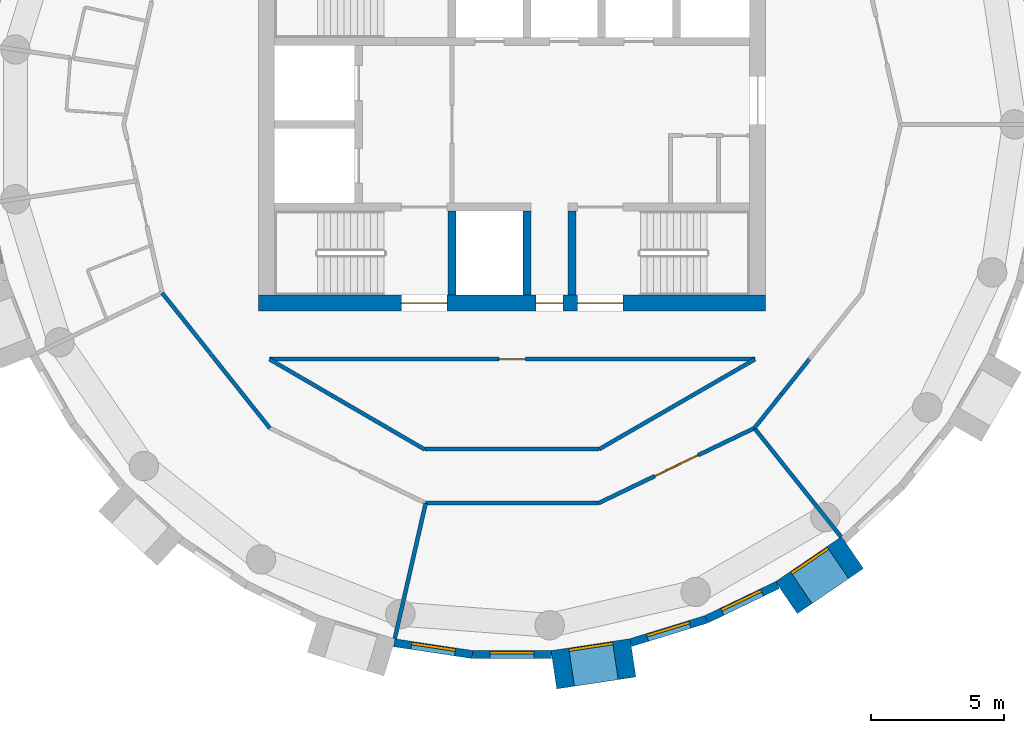
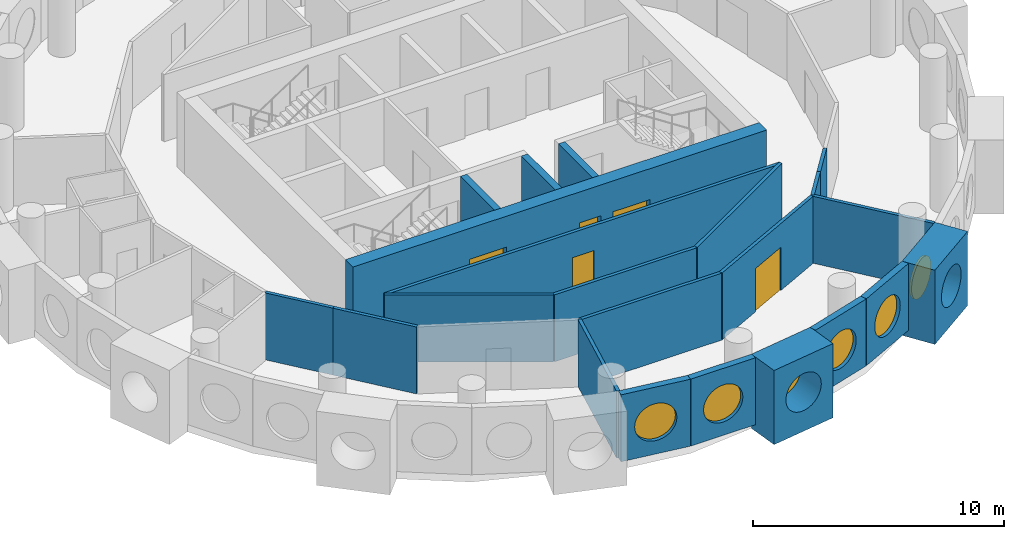
# One storey, part 3 of 12: 22 walls, 6 windows, 5 doors, 11 openings.
"""IFC4 building model written with IfcOpenShell, lengths in metres."""

from ifc_helpers import new_model, si_unit, direction, frame, frame_2d, origin, origin_2d, place, context, subcontext, project, spatial, rectangle, circle, extrude, material, layer, layer_set, type_object, element, fill, save


model = new_model("IFC4")

# Units and contexts
model_context = context("Model", 3, precision=1e-05, world=origin(), true_north=direction((0.0, 1.0)))
body_context = subcontext(model_context, "Body", "Model", "MODEL_VIEW")
ifc_project = project(units=[si_unit("LENGTHUNIT", "METRE"), si_unit("AREAUNIT", "SQUARE_METRE"), si_unit("VOLUMEUNIT", "CUBIC_METRE"), si_unit("PLANEANGLEUNIT", "RADIAN"), si_unit("MASSUNIT", "GRAM", prefix="KILO")], contexts=[model_context])

# Site, building, storey
site_placement = place(None, origin())
site = spatial("IfcSite", under=ifc_project, at=site_placement, CompositionType="ELEMENT")
building_placement = place(site_placement, origin())
building = spatial("IfcBuilding", under=site, at=building_placement, Name="Tracery Tower", CompositionType="ELEMENT")
storey_placement = place(building_placement, frame((0.0, 0.0, 241.800048828125)))
storey = spatial("IfcBuildingStorey", under=building, at=storey_placement, Name="L62", CompositionType="ELEMENT", Elevation=241.800048828125)

# Wall, openings, doors
ifc_material_1 = material(Name="Concrete C40/50", Category="concrete")
ifc_layer_1 = layer(ifc_material_1, 0.60009765625)
ifc_layer_set_1 = layer_set([ifc_layer_1], Name="Core wall 600 C40")
wall_type_1 = type_object("IfcWallType", Name="Core wall 600 C40", PredefinedType="SOLIDWALL", material=ifc_layer_set_1)
wall_1_placement = place(storey_placement, frame((-9.5, -6.699951171875, 0.0), z_axis=(0.0, 0.0, 1.0), x_axis=(1.0, 0.0, 0.0)))
wall_1 = element("IfcWall", 1, at=wall_1_placement, inside=storey, type_object=wall_type_1, Name="L62 outer S", PredefinedType="SOLIDWALL", context=body_context, shape_type="SweptSolid", body=[
    extrude(rectangle(XDim=19.0, YDim=0.60009765625, at=frame_2d((9.5, 0.0))), origin(), (0.0, 0.0, 1.0), 3.599853515625),
])
opening_1_placement = place(wall_1_placement, frame((10.39990234375, 0.0, 0.0)))
opening_1 = element("IfcOpeningElement", 2, at=opening_1_placement, cuts=wall_1, Name="Opening KD16", PredefinedType="OPENING", context=body_context, shape_type="SweptSolid", body=[
    extrude(rectangle(XDim=1.0, YDim=2.10009765625, at=frame_2d((0.5, 1.050048828125))), frame((0.0, 0.300048828125, 0.0), z_axis=(0.0, -1.0, 0.0), x_axis=(1.0, 0.0, 0.0)), (0.0, 0.0, 1.0), 0.60009765625),
])
opening_2_placement = place(wall_1_placement, frame((5.35009765625, 0.0, 0.0)))
opening_2 = element("IfcOpeningElement", 3, at=opening_2_placement, cuts=wall_1, Name="Opening KD3", PredefinedType="OPENING", context=body_context, shape_type="SweptSolid", body=[
    extrude(rectangle(XDim=1.699951171875, YDim=2.10009765625, at=frame_2d((0.85009765625, 1.050048828125))), frame((0.0, 0.300048828125, 0.0), z_axis=(0.0, -1.0, 0.0), x_axis=(1.0, 0.0, 0.0)), (0.0, 0.0, 1.0), 0.60009765625),
])
opening_3_placement = place(wall_1_placement, frame((11.949951171875, 0.0, 0.0)))
opening_3 = element("IfcOpeningElement", 4, at=opening_3_placement, cuts=wall_1, Name="Opening KD3", PredefinedType="OPENING", context=body_context, shape_type="SweptSolid", body=[
    extrude(rectangle(XDim=1.699951171875, YDim=2.10009765625, at=frame_2d((0.85009765625, 1.050048828125))), frame((0.0, 0.300048828125, 0.0), z_axis=(0.0, -1.0, 0.0), x_axis=(1.0, 0.0, 0.0)), (0.0, 0.0, 1.0), 0.60009765625),
])
ifc_material_2 = material(Name="Steel fire door", Category="steel")
door_type_1 = type_object("IfcDoorType", Name="Core exit door 1000", OperationType="NOTDEFINED", PredefinedType="DOOR", material=ifc_material_2)
door_1_placement = place(opening_1_placement, origin())
door_1 = element("IfcDoor", 5, at=door_1_placement, inside=storey, type_object=door_type_1, Name="Core exit door", OperationType="SINGLE_SWING_LEFT", OverallHeight=2.10009765625, OverallWidth=1.0, PredefinedType="DOOR", context=body_context, shape_type="SweptSolid", body=[
    extrude(rectangle(XDim=1.0, YDim=2.10009765625, at=frame_2d((0.5, 1.050048828125))), frame((0.0, 0.02490234375, 0.0), z_axis=(0.0, -1.0, 0.0), x_axis=(1.0, 0.0, 0.0)), (0.0, 0.0, 1.0), 0.050048828125),
])
fill(opening_1, door_1)
ifc_material_3 = material(Name="Steel fire door", Category="steel")
door_type_2 = type_object("IfcDoorType", Name="Core stair door 1700 double", OperationType="NOTDEFINED", PredefinedType="DOOR", material=ifc_material_3)
door_2_placement = place(opening_2_placement, origin())
door_2 = element("IfcDoor", 6, at=door_2_placement, inside=storey, type_object=door_type_2, Name="Stair door ST1 exit", OperationType="DOUBLE_DOOR_SINGLE_SWING", OverallHeight=2.10009765625, OverallWidth=1.699951171875, PredefinedType="DOOR", context=body_context, shape_type="SweptSolid", body=[
    extrude(rectangle(XDim=1.699951171875, YDim=2.10009765625, at=frame_2d((0.85009765625, 1.050048828125))), frame((0.0, 0.02490234375, 0.0), z_axis=(0.0, -1.0, 0.0), x_axis=(1.0, 0.0, 0.0)), (0.0, 0.0, 1.0), 0.050048828125),
])
fill(opening_2, door_2)
door_3_placement = place(opening_3_placement, origin())
door_3 = element("IfcDoor", 7, at=door_3_placement, inside=storey, type_object=door_type_2, Name="Stair door ST2 exit", OperationType="DOUBLE_DOOR_SINGLE_SWING", OverallHeight=2.10009765625, OverallWidth=1.699951171875, PredefinedType="DOOR", context=body_context, shape_type="SweptSolid", body=[
    extrude(rectangle(XDim=1.699951171875, YDim=2.10009765625, at=frame_2d((0.85009765625, 1.050048828125))), frame((0.0, 0.02490234375, 0.0), z_axis=(0.0, -1.0, 0.0), x_axis=(1.0, 0.0, 0.0)), (0.0, 0.0, 1.0), 0.050048828125),
])
fill(opening_3, door_3)

# Wall, opening, window
ifc_material_4 = material(Name="Precast concrete C50/60", Category="concrete")
ifc_layer_2 = layer(ifc_material_4, 1.449951171875)
ifc_layer_set_2 = layer_set([ifc_layer_2], Name="Deep-set bay unit 3000 x 3600, slab edge 350")
wall_type_2 = type_object("IfcWallType", Name="Deep-set bay unit 3000 x 3600, slab edge 350", PredefinedType="ELEMENTEDWALL", material=ifc_layer_set_2)
wall_2_placement = place(storey_placement, frame((1.563232421875, -20.436279296875, -0.35009765625), z_axis=(0.0, 0.0, 1.0), x_axis=(0.988836445254, 0.149004981587, 0.0)))
wall_2 = element("IfcWall", 8, at=wall_2_placement, inside=storey, type_object=wall_type_2, Name="Deep-set bay unit 33 at L62", PredefinedType="ELEMENTEDWALL", context=body_context, shape_type="SweptSolid", body=[
    extrude(rectangle(XDim=3.0, YDim=1.449951171875, at=frame_2d((1.5, 0.0))), origin(), (0.0, 0.0, 1.0), 3.60009765625),
])
opening_4_placement = place(wall_2_placement, frame((1.5, 0.0, 1.89990234375)))
opening_4 = element("IfcOpeningElement", 9, at=opening_4_placement, cuts=wall_2, Name="Opening WN1", PredefinedType="OPENING", context=body_context, shape_type="SweptSolid", body=[
    extrude(circle(Radius=0.9000244140625, at=origin_2d()), frame((0.0, 0.73486328125, 0.0), z_axis=(0.0, -1.0, 0.0), x_axis=(1.0, 0.0, 0.0)), (0.0, 0.0, 1.0), 1.469970703125),
])
ifc_material_5 = material(Name="Aluminium frame with tinted double glazing", Category="aluminium")
window_type = type_object("IfcWindowType", Name="Round window 1800", PartitioningType="SINGLE_PANEL", PredefinedType="WINDOW", material=ifc_material_5)
window_1_placement = place(opening_4_placement, origin())
window_1 = element("IfcWindow", 10, at=window_1_placement, inside=storey, type_object=window_type, Name="Round window 33 at L62", OverallHeight=1.800048828125, OverallWidth=1.800048828125, PartitioningType="SINGLE_PANEL", PredefinedType="WINDOW", context=body_context, shape_type="SweptSolid", body=[
    extrude(circle(Radius=0.9000244140625, at=origin_2d()), frame((0.0, 0.69482421875, 0.0), z_axis=(0.0, -1.0, 0.0), x_axis=(1.0, 0.0, 0.0)), (0.0, 0.0, 1.0), 0.10009765625),
])
fill(opening_4, window_1)

wall_3_placement = place(storey_placement, frame((10.275390625, -17.734130859375, -0.35009765625), z_axis=(0.0, 0.0, 1.0), x_axis=(0.826246281157, 0.563309047392, 0.0)))
wall_3 = element("IfcWall", 11, at=wall_3_placement, inside=storey, type_object=wall_type_2, Name="Deep-set bay unit 36 at L62", PredefinedType="ELEMENTEDWALL", context=body_context, shape_type="SweptSolid", body=[
    extrude(rectangle(XDim=3.0, YDim=1.449951171875, at=frame_2d((1.5, 0.0))), origin(), (0.0, 0.0, 1.0), 3.60009765625),
])
opening_5_placement = place(wall_3_placement, frame((1.5, 0.0, 1.89990234375)))
opening_5 = element("IfcOpeningElement", 12, at=opening_5_placement, cuts=wall_3, Name="Opening WN1", PredefinedType="OPENING", context=body_context, shape_type="SweptSolid", body=[
    extrude(circle(Radius=0.9000244140625, at=origin_2d()), frame((0.0, 0.73486328125, 0.0), z_axis=(0.0, -1.0, 0.0), x_axis=(1.0, 0.0, 0.0)), (0.0, 0.0, 1.0), 1.469970703125),
])
window_2_placement = place(opening_5_placement, origin())
window_2 = element("IfcWindow", 13, at=window_2_placement, inside=storey, type_object=window_type, Name="Round window 36 at L62", OverallHeight=1.800048828125, OverallWidth=1.800048828125, PartitioningType="SINGLE_PANEL", PredefinedType="WINDOW", context=body_context, shape_type="SweptSolid", body=[
    extrude(circle(Radius=0.9000244140625, at=origin_2d()), frame((0.0, 0.69482421875, 0.0), z_axis=(0.0, -1.0, 0.0), x_axis=(1.0, 0.0, 0.0)), (0.0, 0.0, 1.0), 0.10009765625),
])
fill(opening_5, window_2)

ifc_material_6 = material(Name="Precast concrete C50/60", Category="concrete")
ifc_layer_3 = layer(ifc_material_6, 0.300048828125)
ifc_layer_set_3 = layer_set([ifc_layer_3], Name="Facade panel 3000 x 3250")
wall_type_3 = type_object("IfcWallType", Name="Facade panel 3000 x 3250", PredefinedType="SOLIDWALL", material=ifc_layer_set_3)
wall_4_placement = place(storey_placement, frame((-4.41796875, -19.424560546875, 0.0), z_axis=(0.0, 0.0, 1.0), x_axis=(0.988835775663, -0.149009425104, 0.0)))
wall_4 = element("IfcWall", 14, at=wall_4_placement, inside=storey, type_object=wall_type_3, Name="Facade panel 31 at L62", PredefinedType="SOLIDWALL", context=body_context, shape_type="SweptSolid", body=[
    extrude(rectangle(XDim=2.962158203125, YDim=0.300048828125, at=frame_2d((1.48095703125, 0.0))), origin(), (0.0, 0.0, 1.0), 3.25),
])
opening_6_placement = place(wall_4_placement, frame((1.48095703125, 0.0, 1.5498046875)))
opening_6 = element("IfcOpeningElement", 15, at=opening_6_placement, cuts=wall_4, Name="Opening WN1", PredefinedType="OPENING", context=body_context, shape_type="SweptSolid", body=[
    extrude(circle(Radius=0.9000244140625, at=origin_2d()), frame((0.0, 0.159912109375, 0.0), z_axis=(0.0, -1.0, 0.0), x_axis=(1.0, 0.0, 0.0)), (0.0, 0.0, 1.0), 0.320068359375),
])
window_3_placement = place(opening_6_placement, origin())
window_3 = element("IfcWindow", 16, at=window_3_placement, inside=storey, type_object=window_type, Name="Round window 31 at L62", OverallHeight=1.800048828125, OverallWidth=1.800048828125, PartitioningType="SINGLE_PANEL", PredefinedType="WINDOW", context=body_context, shape_type="SweptSolid", body=[
    extrude(circle(Radius=0.9000244140625, at=origin_2d()), frame((0.0, 0.1201171875, 0.0), z_axis=(0.0, -1.0, 0.0), x_axis=(1.0, 0.0, 0.0)), (0.0, 0.0, 1.0), 0.10009765625),
])
fill(opening_6, window_3)

wall_5_placement = place(storey_placement, frame((-1.48876953125, -19.865966796875, 0.0), z_axis=(0.0, 0.0, 1.0), x_axis=(1.0, 0.0, 0.0)))
wall_5 = element("IfcWall", 17, at=wall_5_placement, inside=storey, type_object=wall_type_3, Name="Facade panel 32 at L62", PredefinedType="SOLIDWALL", context=body_context, shape_type="SweptSolid", body=[
    extrude(rectangle(XDim=2.962158203125, YDim=0.300048828125, at=frame_2d((1.48095703125, 0.0))), origin(), (0.0, 0.0, 1.0), 3.25),
])
opening_7_placement = place(wall_5_placement, frame((1.48095703125, 0.0, 1.5498046875)))
opening_7 = element("IfcOpeningElement", 18, at=opening_7_placement, cuts=wall_5, Name="Opening WN1", PredefinedType="OPENING", context=body_context, shape_type="SweptSolid", body=[
    extrude(circle(Radius=0.9000244140625, at=origin_2d()), frame((0.0, 0.159912109375, 0.0), z_axis=(0.0, -1.0, 0.0), x_axis=(1.0, 0.0, 0.0)), (0.0, 0.0, 1.0), 0.320068359375),
])
window_4_placement = place(opening_7_placement, origin())
window_4 = element("IfcWindow", 19, at=window_4_placement, inside=storey, type_object=window_type, Name="Round window 32 at L62", OverallHeight=1.800048828125, OverallWidth=1.800048828125, PartitioningType="SINGLE_PANEL", PredefinedType="WINDOW", context=body_context, shape_type="SweptSolid", body=[
    extrude(circle(Radius=0.9000244140625, at=origin_2d()), frame((0.0, 0.1201171875, 0.0), z_axis=(0.0, -1.0, 0.0), x_axis=(1.0, 0.0, 0.0)), (0.0, 0.0, 1.0), 0.10009765625),
])
fill(opening_7, window_4)

wall_6_placement = place(storey_placement, frame((4.447509765625, -19.417724609375, 0.0), z_axis=(0.0, 0.0, 1.0), x_axis=(0.95558635705, 0.294711238707, 0.0)))
wall_6 = element("IfcWall", 20, at=wall_6_placement, inside=storey, type_object=wall_type_3, Name="Facade panel 34 at L62", PredefinedType="SOLIDWALL", context=body_context, shape_type="SweptSolid", body=[
    extrude(rectangle(XDim=2.96240234375, YDim=0.300048828125, at=frame_2d((1.481201171875, 0.0))), origin(), (0.0, 0.0, 1.0), 3.25),
])
opening_8_placement = place(wall_6_placement, frame((1.48095703125, 0.0, 1.5498046875)))
opening_8 = element("IfcOpeningElement", 21, at=opening_8_placement, cuts=wall_6, Name="Opening WN1", PredefinedType="OPENING", context=body_context, shape_type="SweptSolid", body=[
    extrude(circle(Radius=0.9000244140625, at=origin_2d()), frame((0.0, 0.159912109375, 0.0), z_axis=(0.0, -1.0, 0.0), x_axis=(1.0, 0.0, 0.0)), (0.0, 0.0, 1.0), 0.320068359375),
])
window_5_placement = place(opening_8_placement, origin())
window_5 = element("IfcWindow", 22, at=window_5_placement, inside=storey, type_object=window_type, Name="Round window 34 at L62", OverallHeight=1.800048828125, OverallWidth=1.800048828125, PartitioningType="SINGLE_PANEL", PredefinedType="WINDOW", context=body_context, shape_type="SweptSolid", body=[
    extrude(circle(Radius=0.9000244140625, at=origin_2d()), frame((0.0, 0.1201171875, 0.0), z_axis=(0.0, -1.0, 0.0), x_axis=(1.0, 0.0, 0.0)), (0.0, 0.0, 1.0), 0.10009765625),
])
fill(opening_8, window_5)

wall_7_placement = place(storey_placement, frame((7.2783203125, -18.544677734375, 0.0), z_axis=(0.0, 0.0, 1.0), x_axis=(0.900939615635, 0.433944476838, 0.0)))
wall_7 = element("IfcWall", 23, at=wall_7_placement, inside=storey, type_object=wall_type_3, Name="Facade panel 35 at L62", PredefinedType="SOLIDWALL", context=body_context, shape_type="SweptSolid", body=[
    extrude(rectangle(XDim=2.962158203125, YDim=0.300048828125, at=frame_2d((1.48095703125, 0.0))), origin(), (0.0, 0.0, 1.0), 3.25),
])
opening_9_placement = place(wall_7_placement, frame((1.48095703125, 0.0, 1.5498046875)))
opening_9 = element("IfcOpeningElement", 24, at=opening_9_placement, cuts=wall_7, Name="Opening WN1", PredefinedType="OPENING", context=body_context, shape_type="SweptSolid", body=[
    extrude(circle(Radius=0.9000244140625, at=origin_2d()), frame((0.0, 0.159912109375, 0.0), z_axis=(0.0, -1.0, 0.0), x_axis=(1.0, 0.0, 0.0)), (0.0, 0.0, 1.0), 0.320068359375),
])
window_6_placement = place(opening_9_placement, origin())
window_6 = element("IfcWindow", 25, at=window_6_placement, inside=storey, type_object=window_type, Name="Round window 35 at L62", OverallHeight=1.800048828125, OverallWidth=1.800048828125, PartitioningType="SINGLE_PANEL", PredefinedType="WINDOW", context=body_context, shape_type="SweptSolid", body=[
    extrude(circle(Radius=0.9000244140625, at=origin_2d()), frame((0.0, 0.1201171875, 0.0), z_axis=(0.0, -1.0, 0.0), x_axis=(1.0, 0.0, 0.0)), (0.0, 0.0, 1.0), 0.10009765625),
])
fill(opening_9, window_6)

# Walls
ifc_material_7 = material(Name="Plasterboard on steel studs", Category="steel")
ifc_layer_4 = layer(ifc_material_7, 0.14990234375)
ifc_layer_set_4 = layer_set([ifc_layer_4], Name="Partition 150 acoustic unit wall")
wall_type_4 = type_object("IfcWallType", Name="Partition 150 acoustic unit wall", PredefinedType="PARTITIONING", material=ifc_layer_set_4)
wall_8_placement = place(storey_placement, frame((-4.39990234375, -19.27587890625, 0.0), z_axis=(0.0, 0.0, 1.0), x_axis=(0.222612505682, 0.974907007008, 0.0)))
element("IfcWall", 26, at=wall_8_placement, inside=storey, type_object=wall_type_4, Name="Unit wall RC2-066", PredefinedType="PARTITIONING", context=body_context, shape_type="SweptSolid", body=[
    extrude(rectangle(XDim=5.21484375, YDim=0.14990234375, at=frame_2d((2.607421875, 0.0))), origin(), (0.0, 0.0, 1.0), 3.25),
])
wall_9_placement = place(storey_placement, frame((9.075927734375, -11.381103515625, 0.0), z_axis=(0.0, 0.0, 1.0), x_axis=(0.623460949534, -0.781854490558, 0.0)))
element("IfcWall", 27, at=wall_9_placement, inside=storey, type_object=wall_type_4, Name="Unit wall RC2-067", PredefinedType="PARTITIONING", context=body_context, shape_type="SweptSolid", body=[
    extrude(rectangle(XDim=5.21435546875, YDim=0.14990234375, at=frame_2d((2.607177734375, 0.0))), origin(), (0.0, 0.0, 1.0), 3.25),
])

# Wall, opening, door
ifc_material_8 = material(Name="Plasterboard on steel studs", Category="steel")
ifc_layer_5 = layer(ifc_material_8, 0.14990234375)
ifc_layer_set_5 = layer_set([ifc_layer_5], Name="Partition 150 corridor wall")
wall_type_5 = type_object("IfcWallType", Name="Partition 150 corridor wall", PredefinedType="PARTITIONING", material=ifc_layer_set_5)
wall_10_placement = place(storey_placement, frame((-9.092041015625, -8.800048828125, 0.0), z_axis=(0.0, 0.0, 1.0), x_axis=(1.0, 0.0, 0.0)))
wall_10 = element("IfcWall", 28, at=wall_10_placement, inside=storey, type_object=wall_type_5, Name="Corridor wall RC2-012", PredefinedType="PARTITIONING", context=body_context, shape_type="SweptSolid", body=[
    extrude(rectangle(XDim=18.192626953125, YDim=0.14990234375, at=frame_2d((9.09619140625, 0.0))), origin(), (0.0, 0.0, 1.0), 3.25),
])
opening_10_placement = place(wall_10_placement, frame((8.592041015625, 0.0, 0.0)))
opening_10 = element("IfcOpeningElement", 29, at=opening_10_placement, cuts=wall_10, Name="Opening RC2-03", PredefinedType="OPENING", context=body_context, shape_type="SweptSolid", body=[
    extrude(rectangle(XDim=1.0, YDim=2.0400390625, at=frame_2d((0.5, 1.02001953125))), frame((0.0, 0.074951171875, 0.0), z_axis=(0.0, -1.0, 0.0), x_axis=(1.0, 0.0, 0.0)), (0.0, 0.0, 1.0), 0.14990234375),
])
ifc_material_9 = material(Name="Timber door leaf", Category="wood")
door_type_3 = type_object("IfcDoorType", Name="Door communal room 1000", OperationType="NOTDEFINED", PredefinedType="DOOR", material=ifc_material_9)
door_4_placement = place(opening_10_placement, origin())
door_4 = element("IfcDoor", 30, at=door_4_placement, inside=storey, type_object=door_type_3, Name="Communal room door RC2-03", OperationType="SINGLE_SWING_RIGHT", OverallHeight=2.0400390625, OverallWidth=1.0, PredefinedType="DOOR", context=body_context, shape_type="SweptSolid", body=[
    extrude(rectangle(XDim=1.0, YDim=2.0400390625, at=frame_2d((0.5, 1.02001953125))), frame((0.0, 0.02490234375, 0.0), z_axis=(0.0, -1.0, 0.0), x_axis=(1.0, 0.0, 0.0)), (0.0, 0.0, 1.0), 0.050048828125),
])
fill(opening_10, door_4)

# Walls
wall_11_placement = place(storey_placement, frame((-9.092041015625, -8.800048828125, 0.0), z_axis=(0.0, 0.0, 1.0), x_axis=(0.864470922103, -0.502682827277, 0.0)))
element("IfcWall", 31, at=wall_11_placement, inside=storey, type_object=wall_type_5, Name="Corridor wall RC2-013", PredefinedType="PARTITIONING", context=body_context, shape_type="SweptSolid", body=[
    extrude(rectangle(XDim=6.7353515625, YDim=0.14990234375, at=frame_2d((3.36767578125, 0.0))), origin(), (0.0, 0.0, 1.0), 3.25),
])
wall_12_placement = place(storey_placement, frame((-11.300048828125, -8.59619140625, 0.0), z_axis=(0.0, 0.0, 1.0), x_axis=(0.623165080354, -0.782090328944, 0.0)))
element("IfcWall", 32, at=wall_12_placement, inside=storey, type_object=wall_type_5, Name="Corridor wall RC2-014", PredefinedType="PARTITIONING", context=body_context, shape_type="SweptSolid", body=[
    extrude(rectangle(XDim=3.56396484375, YDim=0.14990234375, at=frame_2d((1.781982421875, 0.0))), origin(), (0.0, 0.0, 1.0), 3.25),
])
wall_13_placement = place(storey_placement, frame((10.10107421875, -10.10107421875, 0.0), z_axis=(0.0, 0.0, 1.0), x_axis=(0.623098344652, 0.782143498913, 0.0)))
element("IfcWall", 33, at=wall_13_placement, inside=storey, type_object=wall_type_5, Name="Corridor wall RC2-019", PredefinedType="PARTITIONING", context=body_context, shape_type="SweptSolid", body=[
    extrude(rectangle(XDim=1.660888671875, YDim=0.14990234375, at=frame_2d((0.83056640625, 0.0))), origin(), (0.0, 0.0, 1.0), 3.25),
])
wall_14_placement = place(storey_placement, frame((-13.114990234375, -6.31591796875, 0.0), z_axis=(0.0, 0.0, 1.0), x_axis=(0.623446514299, -0.781866001185, 0.0)))
element("IfcWall", 34, at=wall_14_placement, inside=storey, type_object=wall_type_5, Name="Corridor wall RC2-036", PredefinedType="PARTITIONING", context=body_context, shape_type="SweptSolid", body=[
    extrude(rectangle(XDim=2.9111328125, YDim=0.14990234375, at=frame_2d((1.45556640625, 0.0))), origin(), (0.0, 0.0, 1.0), 3.25),
])
wall_15_placement = place(storey_placement, frame((-3.260986328125, -12.1708984375, 0.0), z_axis=(0.0, 0.0, 1.0), x_axis=(1.0, 0.0, 0.0)))
element("IfcWall", 35, at=wall_15_placement, inside=storey, type_object=wall_type_5, Name="Corridor wall RC2-037", PredefinedType="PARTITIONING", context=body_context, shape_type="SweptSolid", body=[
    extrude(rectangle(XDim=6.52197265625, YDim=0.14990234375, at=frame_2d((3.260986328125, 0.0))), origin(), (0.0, 0.0, 1.0), 3.25),
])
wall_16_placement = place(storey_placement, frame((3.260986328125, -12.1708984375, 0.0), z_axis=(0.0, 0.0, 1.0), x_axis=(0.866066809554, 0.499928276245, 0.0)))
element("IfcWall", 36, at=wall_16_placement, inside=storey, type_object=wall_type_5, Name="Corridor wall RC2-038", PredefinedType="PARTITIONING", context=body_context, shape_type="SweptSolid", body=[
    extrude(rectangle(XDim=6.74267578125, YDim=0.14990234375, at=frame_2d((3.371337890625, 0.0))), origin(), (0.0, 0.0, 1.0), 3.25),
])

# Wall, opening, door
wall_17_placement = place(storey_placement, frame((3.239013671875, -14.19189453125, 0.0), z_axis=(0.0, 0.0, 1.0), x_axis=(0.900976027191, 0.433868872388, 0.0)))
wall_17 = element("IfcWall", 37, at=wall_17_placement, inside=storey, type_object=wall_type_5, Name="Corridor wall RC2-040", PredefinedType="PARTITIONING", context=body_context, shape_type="SweptSolid", body=[
    extrude(rectangle(XDim=6.478515625, YDim=0.14990234375, at=frame_2d((3.2392578125, 0.0))), origin(), (0.0, 0.0, 1.0), 3.25),
])
opening_11_placement = place(wall_17_placement, frame((2.339599609375, 0.0, 0.0)))
opening_11 = element("IfcOpeningElement", 38, at=opening_11_placement, cuts=wall_17, Name="Opening RC2-19", PredefinedType="OPENING", context=body_context, shape_type="SweptSolid", body=[
    extrude(rectangle(XDim=1.800048828125, YDim=2.10009765625, at=frame_2d((0.89990234375, 1.050048828125))), frame((0.0, 0.074951171875, 0.0), z_axis=(0.0, -1.0, 0.0), x_axis=(1.0, 0.0, 0.0)), (0.0, 0.0, 1.0), 0.14990234375),
])
ifc_material_10 = material(Name="Timber door leaf", Category="wood")
door_type_4 = type_object("IfcDoorType", Name="Door double lounge 1800", OperationType="NOTDEFINED", PredefinedType="DOOR", material=ifc_material_10)
door_5_placement = place(opening_11_placement, origin())
door_5 = element("IfcDoor", 39, at=door_5_placement, inside=storey, type_object=door_type_4, Name="Double lounge door RC2-19", OperationType="DOUBLE_DOOR_SINGLE_SWING", OverallHeight=2.10009765625, OverallWidth=1.800048828125, PredefinedType="DOOR", context=body_context, shape_type="SweptSolid", body=[
    extrude(rectangle(XDim=1.800048828125, YDim=2.10009765625, at=frame_2d((0.89990234375, 1.050048828125))), frame((0.0, 0.02490234375, 0.0), z_axis=(0.0, -1.0, 0.0), x_axis=(1.0, 0.0, 0.0)), (0.0, 0.0, 1.0), 0.050048828125),
])
fill(opening_11, door_5)

# Walls
wall_18_placement = place(storey_placement, frame((-3.239013671875, -14.19189453125, 0.0), z_axis=(0.0, 0.0, 1.0), x_axis=(1.0, 0.0, 0.0)))
element("IfcWall", 40, at=wall_18_placement, inside=storey, type_object=wall_type_5, Name="Corridor wall RC2-041", PredefinedType="PARTITIONING", context=body_context, shape_type="SweptSolid", body=[
    extrude(rectangle(XDim=6.47802734375, YDim=0.14990234375, at=frame_2d((3.239013671875, 0.0))), origin(), (0.0, 0.0, 1.0), 3.25),
])
wall_19_placement = place(storey_placement, frame((9.075927734375, -11.381103515625, 0.0), z_axis=(0.0, 0.0, 1.0), x_axis=(0.623805208652, 0.781579849829, 0.0)))
element("IfcWall", 41, at=wall_19_placement, inside=storey, type_object=wall_type_5, Name="Corridor wall RC2-042", PredefinedType="PARTITIONING", context=body_context, shape_type="SweptSolid", body=[
    extrude(rectangle(XDim=1.64013671875, YDim=0.14990234375, at=frame_2d((0.820068359375, 0.0))), origin(), (0.0, 0.0, 1.0), 3.25),
])
ifc_material_11 = material(Name="Concrete C40/50", Category="concrete")
ifc_layer_6 = layer(ifc_material_11, 0.300048828125)
ifc_layer_set_6 = layer_set([ifc_layer_6], Name="Shaft wall 300 C40")
wall_type_6 = type_object("IfcWallType", Name="Shaft wall 300 C40", PredefinedType="SOLIDWALL", material=ifc_layer_set_6)
wall_20_placement = place(storey_placement, frame((0.550048828125, -6.39990234375, 0.0), z_axis=(0.0, 0.0, 1.0), x_axis=(0.0, 1.0, 0.0)))
element("IfcWall", 42, at=wall_20_placement, inside=storey, type_object=wall_type_6, Name="L62 OB2 E", PredefinedType="SOLIDWALL", context=body_context, shape_type="SweptSolid", body=[
    extrude(rectangle(XDim=3.14990234375, YDim=0.300048828125, at=frame_2d((1.574951171875, 0.0))), origin(), (0.0, 0.0, 1.0), 3.25),
])
ifc_material_12 = material(Name="Concrete C40/50", Category="concrete")
ifc_layer_7 = layer(ifc_material_12, 0.300048828125)
ifc_layer_set_7 = layer_set([ifc_layer_7], Name="Stair wall 300 C40")
wall_type_7 = type_object("IfcWallType", Name="Stair wall 300 C40", PredefinedType="SOLIDWALL", material=ifc_layer_set_7)
for number, where, z_axis, x_axis, name in (
    (43, (-2.25, -6.39990234375, 0.0), (0.0, 0.0, 1.0), (0.0, 1.0, 0.0), "L62 ST1 E"),
    (44, (2.25, -6.39990234375, 0.0), (0.0, 0.0, 1.0), (0.0, 1.0, 0.0), "L62 ST2 W"),
):
    element("IfcWall", number, at=place(storey_placement, frame(where, z_axis=z_axis, x_axis=x_axis)), inside=storey, type_object=wall_type_7, Name=name, PredefinedType="SOLIDWALL", context=body_context, shape_type="SweptSolid", body=[
        extrude(rectangle(XDim=3.14990234375, YDim=0.300048828125, at=frame_2d((1.574951171875, 0.0))), origin(), (0.0, 0.0, 1.0), 3.25),
    ])

save(model, "model.ifc")
